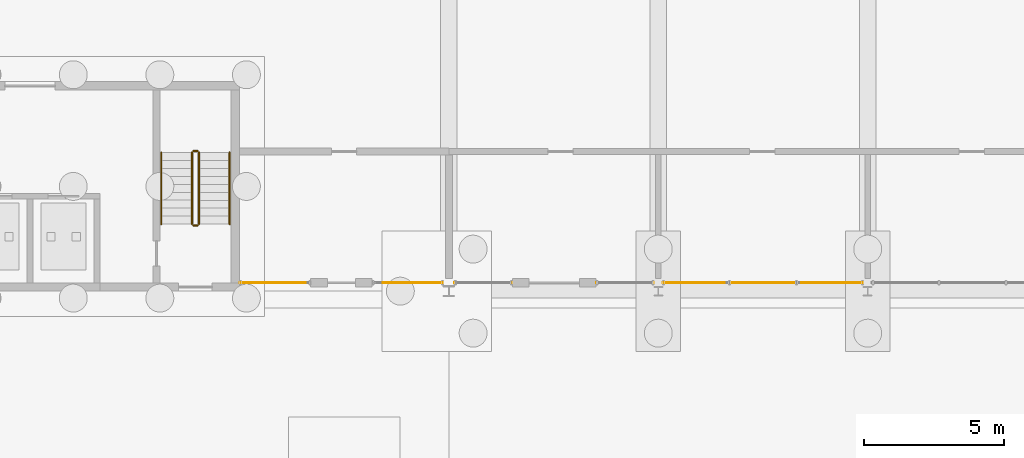
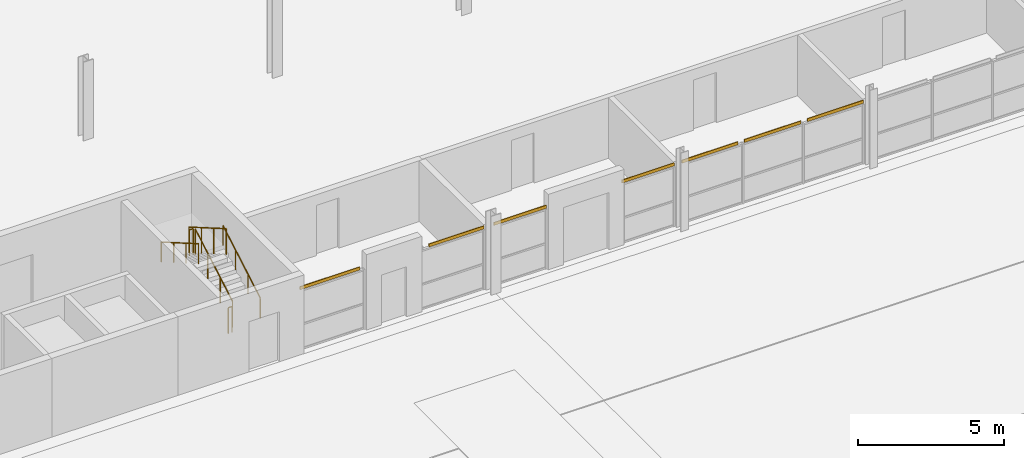
# One storey, part 122 of 130: 7 coverings, 6 railings.
"""IFC4 building model written with IfcOpenShell, lengths in metres."""

from ifc_helpers import new_model, si_unit, direction, frame, origin, origin_2d, place, context, subcontext, project, spatial, rectangle, circle, extrude, material, layer, layer_set, type_object, element, save


model = new_model("IFC4")

# Units and contexts
model_context = context("Model", 3, precision=1e-05, world=origin(), true_north=direction((0.0, 1.0)))
body_context = subcontext(model_context, "Body", "Model", "MODEL_VIEW")
ifc_project = project(units=[si_unit("LENGTHUNIT", "METRE"), si_unit("AREAUNIT", "SQUARE_METRE"), si_unit("VOLUMEUNIT", "CUBIC_METRE"), si_unit("PLANEANGLEUNIT", "RADIAN"), si_unit("MASSUNIT", "GRAM", prefix="KILO")], contexts=[model_context])

# Site, building, storey
site_placement = place(None, origin())
site = spatial("IfcSite", under=ifc_project, at=site_placement, CompositionType="ELEMENT")
building_placement = place(site_placement, origin())
building = spatial("IfcBuilding", under=site, at=building_placement, Name="Parallax Yard Mobility Hub", CompositionType="ELEMENT")
storey_placement = place(building_placement, origin())
storey = spatial("IfcBuildingStorey", under=building, at=storey_placement, Name="L00", CompositionType="ELEMENT", Elevation=0.0)

# Coverings
ifc_material_1 = material(Name="Insulated aluminium spandrel panel", Category="aluminium")
ifc_layer = layer(ifc_material_1, 0.028076171875)
ifc_layer_set = layer_set([ifc_layer], Name="Curtain wall spandrel closer, insulated aluminium 28")
covering_type = type_object("IfcCoveringType", Name="Curtain wall spandrel closer, insulated aluminium 28", PredefinedType="CLADDING", material=ifc_layer_set)
covering_1_placement = place(storey_placement, frame((143.6904296875, 112.800048828125, 2.5), z_axis=(0.0, 0.0, 1.0), x_axis=(1.0, 0.0, 0.0)))
element("IfcCovering", 1, at=covering_1_placement, inside=storey, type_object=covering_type, Name="Curtain wall CW18 level L00 bay 14 spandrel closer 1", ObjectType="SCREEN", PredefinedType="CLADDING", context=body_context, shape_type="SweptSolid", body=[
    extrude(rectangle(XDim=2.37109375, YDim=0.028076171875, at=origin_2d()), origin(), (0.0, 0.0, 1.0), 0.126953125),
])
covering_2_placement = place(storey_placement, frame((148.71337890625, 112.800048828125, 2.5), z_axis=(0.0, 0.0, 1.0), x_axis=(1.0, 0.0, 0.0)))
element("IfcCovering", 2, at=covering_2_placement, inside=storey, type_object=covering_type, Name="Curtain wall CW19 level L00 bay 14 spandrel closer 2", ObjectType="SCREEN", PredefinedType="CLADDING", context=body_context, shape_type="SweptSolid", body=[
    extrude(rectangle(XDim=2.178955078125, YDim=0.028076171875, at=origin_2d()), origin(), (0.0, 0.0, 1.0), 0.126953125),
])
for number, where, z_axis, x_axis, name in (
    (3, (151.234375, 112.800048828125, 2.5), (0.0, 0.0, 1.0), (1.0, 0.0, 0.0), "Curtain wall CW20 level L00 bay 15 spandrel closer 1"),
    (4, (156.30908203125, 112.800048828125, 2.5), (0.0, 0.0, 1.0), (1.0, 0.0, 0.0), "Curtain wall CW21 level L00 bay 15 spandrel closer 1"),
):
    element("IfcCovering", number, at=place(storey_placement, frame(where, z_axis=z_axis, x_axis=x_axis)), inside=storey, type_object=covering_type, Name=name, ObjectType="SCREEN", PredefinedType="CLADDING", context=body_context, shape_type="SweptSolid", body=[
        extrude(rectangle(XDim=2.07470703125, YDim=0.028076171875, at=origin_2d()), origin(), (0.0, 0.0, 1.0), 0.126953125),
    ])
covering_3_placement = place(storey_placement, frame((158.7646484375, 112.800048828125, 2.5), z_axis=(0.0, 0.0, 1.0), x_axis=(1.0, 0.0, 0.0)))
element("IfcCovering", 5, at=covering_3_placement, inside=storey, type_object=covering_type, Name="Curtain wall CW22 level L00 bay 16 spandrel closer 1", ObjectType="SCREEN", PredefinedType="CLADDING", context=body_context, shape_type="SweptSolid", body=[
    extrude(rectangle(XDim=2.222412109375, YDim=0.028076171875, at=origin_2d()), origin(), (0.0, 0.0, 1.0), 0.126953125),
])
covering_4_placement = place(storey_placement, frame((161.25, 112.800048828125, 2.5), z_axis=(0.0, 0.0, 1.0), x_axis=(1.0, 0.0, 0.0)))
element("IfcCovering", 6, at=covering_4_placement, inside=storey, type_object=covering_type, Name="Curtain wall CW22 level L00 bay 16 spandrel closer 2", ObjectType="SCREEN", PredefinedType="CLADDING", context=body_context, shape_type="SweptSolid", body=[
    extrude(rectangle(XDim=2.251953125, YDim=0.028076171875, at=origin_2d()), origin(), (0.0, 0.0, 1.0), 0.126953125),
])
covering_5_placement = place(storey_placement, frame((163.7353515625, 112.800048828125, 2.5), z_axis=(0.0, 0.0, 1.0), x_axis=(1.0, 0.0, 0.0)))
element("IfcCovering", 7, at=covering_5_placement, inside=storey, type_object=covering_type, Name="Curtain wall CW22 level L00 bay 16 spandrel closer 3", ObjectType="SCREEN", PredefinedType="CLADDING", context=body_context, shape_type="SweptSolid", body=[
    extrude(rectangle(XDim=2.222412109375, YDim=0.028076171875, at=origin_2d()), origin(), (0.0, 0.0, 1.0), 0.126953125),
])

# Railings
ifc_material_2 = material(Name="Steel ASTM A36", Category="steel")
railing_type_1 = type_object("IfcRailingType", Name="Stair guard 1100", PredefinedType="GUARDRAIL", material=ifc_material_2)
railing_1_placement = place(storey_placement, frame((141.050048828125, 114.89990234375, 0.1650390625)))
element("IfcRailing", 8, at=railing_1_placement, inside=storey, type_object=railing_type_1, Name="L00 ST5 stair guard 1", PredefinedType="GUARDRAIL", context=body_context, shape_type="SweptSolid", body=[
    extrude(circle(Radius=0.02392578125, at=origin_2d()), frame((0.0, 0.0, 1.076171875), z_axis=(0.0, 0.865461999751, 0.500974577186), x_axis=(-1.0, 0.0, 0.0)), (0.0, 0.0, 1.0), 2.9638671875),
    extrude(circle(Radius=0.02099609375, at=origin_2d()), origin(), (0.0, 0.0, 1.0), 1.052001953125),
    extrude(circle(Radius=0.02099609375, at=origin_2d()), frame((0.0, 0.85498046875, 0.494873046875)), (0.0, 0.0, 1.0), 1.052001953125),
    extrude(circle(Radius=0.02099609375, at=origin_2d()), frame((0.0, 1.710205078125, 0.989990234375)), (0.0, 0.0, 1.0), 1.052001953125),
    extrude(circle(Radius=0.02099609375, at=origin_2d()), frame((0.0, 2.565185546875, 1.48486328125)), (0.0, 0.0, 1.0), 1.052001953125),
])
railing_2_placement = place(storey_placement, frame((141.0, 117.514892578125, 1.64990234375)))
element("IfcRailing", 9, at=railing_2_placement, inside=storey, type_object=railing_type_1, Name="L00 ST5 stair guard 2", PredefinedType="GUARDRAIL", context=body_context, shape_type="SweptSolid", body=[
    extrude(circle(Radius=0.02392578125, at=origin_2d()), frame((0.0, 0.0, 1.076171875), z_axis=(-1.0, 0.0, 0.0), x_axis=(0.0, -1.0, 0.0)), (0.0, 0.0, 1.0), 0.14990234375),
    extrude(circle(Radius=0.02099609375, at=origin_2d()), origin(), (0.0, 0.0, 1.0), 1.052001953125),
    extrude(circle(Radius=0.02099609375, at=origin_2d()), frame((-0.14990234375, 0.0, 0.0)), (0.0, 0.0, 1.0), 1.052001953125),
])
railing_3_placement = place(storey_placement, frame((140.800048828125, 117.465087890625, 1.81494140625)))
element("IfcRailing", 10, at=railing_3_placement, inside=storey, type_object=railing_type_1, Name="L00 ST5 stair guard 3", PredefinedType="GUARDRAIL", context=body_context, shape_type="SweptSolid", body=[
    extrude(circle(Radius=0.02392578125, at=origin_2d()), frame((0.0, 0.0, 1.076171875), z_axis=(0.0, -0.865426285481, 0.501036270542), x_axis=(1.0, 0.0, 0.0)), (0.0, 0.0, 1.0), 2.964111328125),
    extrude(circle(Radius=0.02099609375, at=origin_2d()), origin(), (0.0, 0.0, 1.0), 1.052001953125),
    extrude(circle(Radius=0.02099609375, at=origin_2d()), frame((0.0, -0.85498046875, 0.4951171875)), (0.0, 0.0, 1.0), 1.052001953125),
    extrude(circle(Radius=0.02099609375, at=origin_2d()), frame((0.0, -1.710205078125, 0.989990234375)), (0.0, 0.0, 1.0), 1.052001953125),
    extrude(circle(Radius=0.02099609375, at=origin_2d()), frame((0.0, -2.565185546875, 1.485107421875)), (0.0, 0.0, 1.0), 1.052001953125),
])
railing_4_placement = place(storey_placement, frame((141.0, 114.85009765625, 0.0)))
element("IfcRailing", 11, at=railing_4_placement, inside=storey, type_object=railing_type_1, Name="L00 ST5 stair guard 4", PredefinedType="GUARDRAIL", context=body_context, shape_type="SweptSolid", body=[
    extrude(circle(Radius=0.02392578125, at=origin_2d()), frame((0.0, 0.0, 1.076171875), z_axis=(-1.0, 0.0, 0.0), x_axis=(0.0, -1.0, 0.0)), (0.0, 0.0, 1.0), 0.14990234375),
    extrude(circle(Radius=0.02099609375, at=origin_2d()), origin(), (0.0, 0.0, 1.0), 1.052001953125),
    extrude(circle(Radius=0.02099609375, at=origin_2d()), frame((-0.14990234375, 0.0, 0.0)), (0.0, 0.0, 1.0), 1.052001953125),
])
railing_type_2 = type_object("IfcRailingType", Name="Stair handrail", PredefinedType="HANDRAIL", material=ifc_material_2)
railing_5_placement = place(storey_placement, frame((142.14990234375, 114.89990234375, 0.1650390625)))
element("IfcRailing", 12, at=railing_5_placement, inside=storey, type_object=railing_type_2, Name="L00 ST5 stair handrail 1", PredefinedType="HANDRAIL", context=body_context, shape_type="SweptSolid", body=[
    extrude(circle(Radius=0.02392578125, at=origin_2d()), frame((0.0, 0.0, 0.8310546875), z_axis=(0.0, 0.865461999751, 0.500974577186), x_axis=(-1.0, 0.0, 0.0)), (0.0, 0.0, 1.0), 2.9638671875),
    extrude(circle(Radius=0.02099609375, at=origin_2d()), origin(), (0.0, 0.0, 1.0), 0.806884765625),
    extrude(circle(Radius=0.02099609375, at=origin_2d()), frame((0.0, 0.85498046875, 0.494873046875)), (0.0, 0.0, 1.0), 0.806884765625),
    extrude(circle(Radius=0.02099609375, at=origin_2d()), frame((0.0, 1.710205078125, 0.989990234375)), (0.0, 0.0, 1.0), 0.806884765625),
    extrude(circle(Radius=0.02099609375, at=origin_2d()), frame((0.0, 2.565185546875, 1.48486328125)), (0.0, 0.0, 1.0), 0.806884765625),
])
railing_6_placement = place(storey_placement, frame((139.699951171875, 117.465087890625, 1.81494140625)))
element("IfcRailing", 13, at=railing_6_placement, inside=storey, type_object=railing_type_2, Name="L00 ST5 stair handrail 2", PredefinedType="HANDRAIL", context=body_context, shape_type="SweptSolid", body=[
    extrude(circle(Radius=0.02392578125, at=origin_2d()), frame((0.0, 0.0, 0.8310546875), z_axis=(0.0, -0.865426285481, 0.501036270542), x_axis=(1.0, 0.0, 0.0)), (0.0, 0.0, 1.0), 2.964111328125),
    extrude(circle(Radius=0.02099609375, at=origin_2d()), origin(), (0.0, 0.0, 1.0), 0.806884765625),
    extrude(circle(Radius=0.02099609375, at=origin_2d()), frame((0.0, -0.85498046875, 0.4951171875)), (0.0, 0.0, 1.0), 0.806884765625),
    extrude(circle(Radius=0.02099609375, at=origin_2d()), frame((0.0, -1.710205078125, 0.989990234375)), (0.0, 0.0, 1.0), 0.806884765625),
    extrude(circle(Radius=0.02099609375, at=origin_2d()), frame((0.0, -2.565185546875, 1.485107421875)), (0.0, 0.0, 1.0), 0.806884765625),
])

save(model, "model.ifc")
